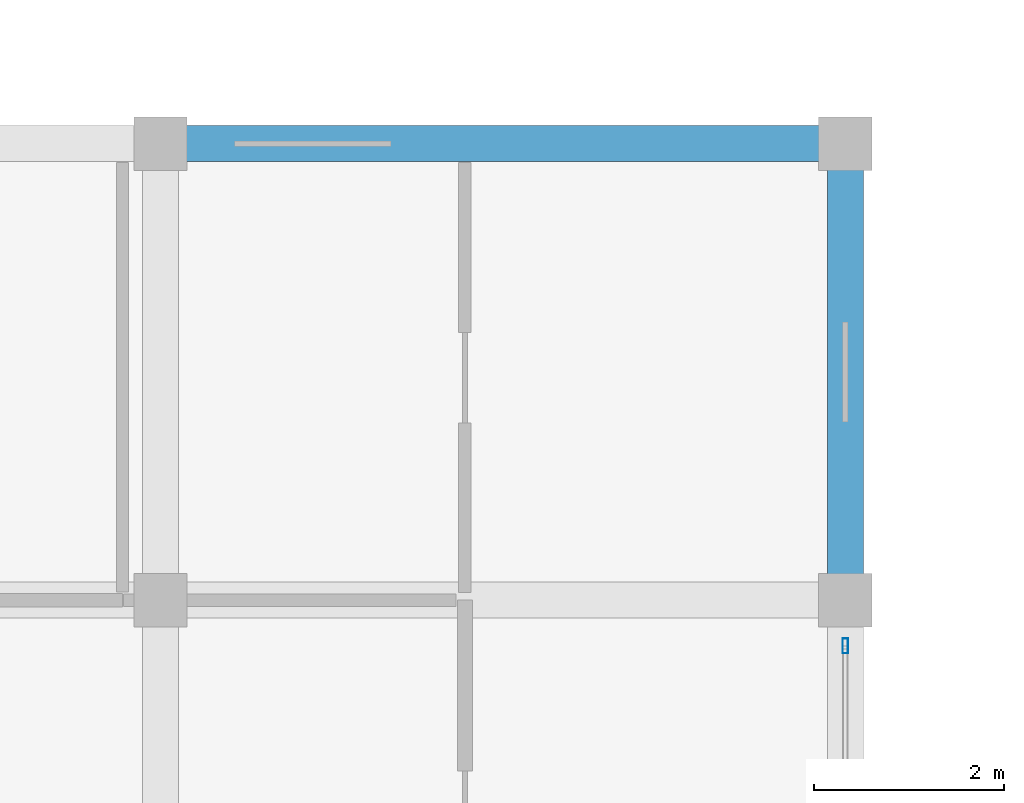
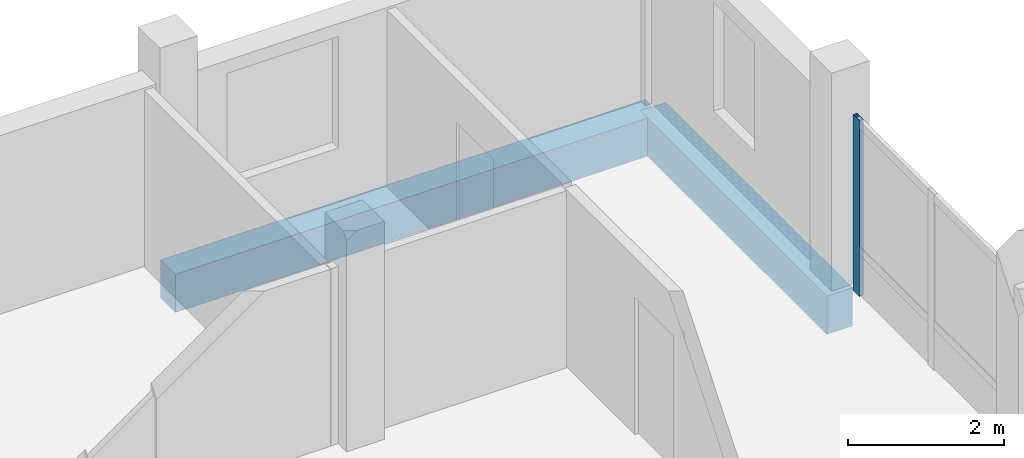
# One storey, part 16 of 84: 2 beams, 1 member, 1 element without a shape of its own.
"""IFC4 building model written with IfcOpenShell, lengths in metres."""

from ifc_helpers import new_model, si_unit, direction, frame, origin, origin_2d, place, context, subcontext, project, spatial, rectangle, hollow_rectangle, extrude, material, material_profile, profile_set, type_object, element, aggregate, save


model = new_model("IFC4")

# Units and contexts
model_context = context("Model", 3, precision=1e-05, world=origin(), true_north=direction((0.0, 1.0)))
body_context = subcontext(model_context, "Body", "Model", "MODEL_VIEW")
ifc_project = project(units=[si_unit("LENGTHUNIT", "METRE"), si_unit("AREAUNIT", "SQUARE_METRE"), si_unit("VOLUMEUNIT", "CUBIC_METRE"), si_unit("PLANEANGLEUNIT", "RADIAN"), si_unit("MASSUNIT", "GRAM", prefix="KILO")], contexts=[model_context])

# Site, building, storey
site_placement = place(None, origin())
site = spatial("IfcSite", under=ifc_project, at=site_placement, CompositionType="ELEMENT")
building_placement = place(site_placement, origin())
building = spatial("IfcBuilding", under=site, at=building_placement, Name="Zornivar Specialist Clinic", CompositionType="ELEMENT")
storey_placement = place(building_placement, frame((0.0, 0.0, 12.300048828125)))
storey = spatial("IfcBuildingStorey", under=building, at=storey_placement, Name="L03", CompositionType="ELEMENT", Elevation=12.300048828125)

# Beams
ifc_material_1 = material(Name="Concrete C30/37", Category="concrete")
ifc_material_profile_1 = material_profile(ifc_material_1, rectangle(XDim=0.3798828125, YDim=0.60009765625, at=origin_2d()), Name="RC 380x600")
ifc_profile_set_1 = profile_set([ifc_material_profile_1], Name="Concrete C30/37")
beam_type = type_object("IfcBeamType", Name="BM-RC-380x600", PredefinedType="BEAM", material=ifc_profile_set_1)
beam_1_placement = place(storey_placement, frame((7.199951171875, 52.800048828125, -0.580078125), z_axis=(1.0, 0.0, 0.0), x_axis=(0.0, 1.0, 0.0)))
element("IfcBeam", 1, at=beam_1_placement, inside=storey, type_object=beam_type, Name="bm:V2:L03:x:528:1", PredefinedType="BEAM", context=body_context, shape_type="SweptSolid", body=[
    extrude(rectangle(XDim=0.3798828125, YDim=0.60009765625, at=origin_2d()), origin(), (0.0, 0.0, 1.0), 7.199951171875),
])
beam_2_placement = place(storey_placement, frame((14.39990234375, 48.0, -0.580078125), z_axis=(0.0, 1.0, 0.0), x_axis=(-1.0, 0.0, 0.0)))
element("IfcBeam", 2, at=beam_2_placement, inside=storey, type_object=beam_type, Name="bm:V2:L03:y:144:7", PredefinedType="BEAM", context=body_context, shape_type="SweptSolid", body=[
    extrude(rectangle(XDim=0.3798828125, YDim=0.60009765625, at=origin_2d()), origin(), (0.0, 0.0, 1.0), 4.800048828125),
])

# Curtain wall, member
ifc_material_2 = material(Name="Aluminium and Low-E Glass Curtain Wall", Category="aluminium")
curtain_wall_type = type_object("IfcCurtainWallType", Name="CW-REVAK-COURT", PredefinedType="NOTDEFINED", material=ifc_material_2)
curtain_wall_placement = place(storey_placement, origin())
curtain_wall = element("IfcCurtainWall", 3, at=curtain_wall_placement, inside=storey, type_object=curtain_wall_type, Name="cw:V2:L03:16", PredefinedType="NOTDEFINED")
ifc_material_3 = material(Name="Aluminium AW-6060", Category="aluminium")
ifc_material_profile_2 = material_profile(ifc_material_3, hollow_rectangle(XDim=0.06005859375, YDim=0.159912109375, WallThickness=0.00390625, at=origin_2d()), Name="ALU 60x160x4")
ifc_profile_set_2 = profile_set([ifc_material_profile_2], Name="Aluminium AW-6060")
member_type = type_object("IfcMemberType", Name="CWM-MUL-160", PredefinedType="MULLION", material=ifc_profile_set_2)
member_placement = place(storey_placement, frame((14.39990234375, 47.52001953125, 0.0), z_axis=(0.0, 0.0, 1.0), x_axis=(1.0, 0.0, 0.0)))
member = element("IfcMember", 4, at=member_placement, type_object=member_type, Name="cw:V2:L03:16:mul:2", PredefinedType="MULLION", context=body_context, shape_type="SweptSolid", body=[
    extrude(hollow_rectangle(XDim=0.06005859375, YDim=0.159912109375, WallThickness=0.00390625, at=origin_2d()), origin(), (0.0, 0.0, 1.0), 2.760009765625),
])
aggregate(curtain_wall, [member])

save(model, "model.ifc")
